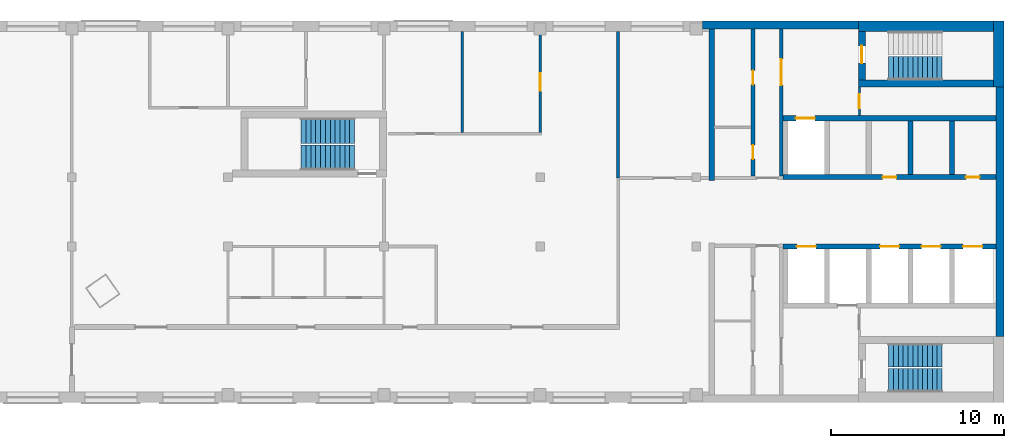
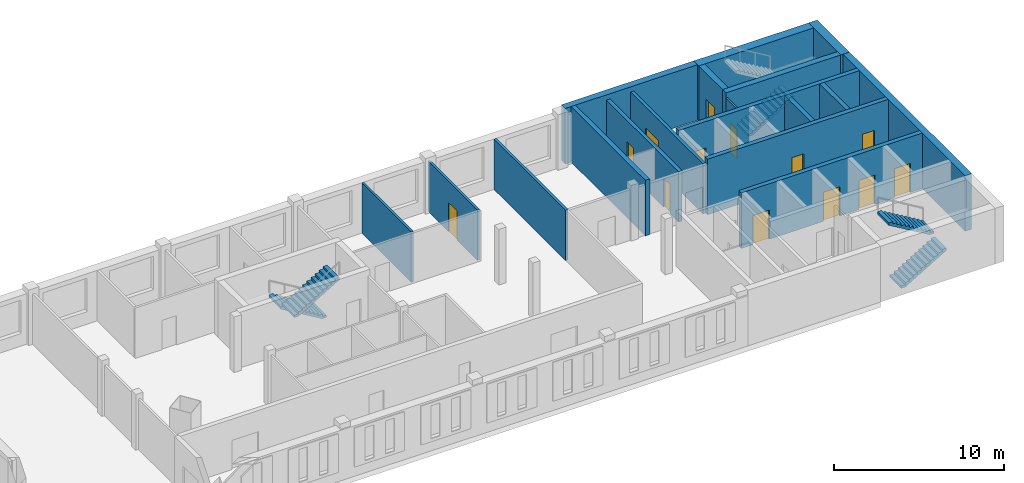
# One storey, part 4 of 6: 18 walls, 13 doors, 5 stair flights, 13 openings, 3 elements without a shape of their own.
"""IFC4 building model written with IfcOpenShell, lengths in metres."""

from ifc_helpers import new_model, si_unit, direction, frame, frame_2d, origin, place, context, subcontext, project, spatial, polyline, rectangle, outline, extrude, material, layer, layer_set, type_object, element, fill, aggregate, save


model = new_model("IFC4")

# Units and contexts
model_context = context("Model", 3, precision=1e-05, world=origin(), true_north=direction((0.0, 1.0)))
body_context = subcontext(model_context, "Body", "Model", "MODEL_VIEW")
ifc_project = project(units=[si_unit("LENGTHUNIT", "METRE"), si_unit("AREAUNIT", "SQUARE_METRE"), si_unit("VOLUMEUNIT", "CUBIC_METRE"), si_unit("PLANEANGLEUNIT", "RADIAN"), si_unit("MASSUNIT", "GRAM", prefix="KILO")], contexts=[model_context])

# Site, building, storey
site_placement = place(None, origin())
site = spatial("IfcSite", under=ifc_project, at=site_placement, CompositionType="ELEMENT")
building_placement = place(site_placement, origin())
building = spatial("IfcBuilding", under=site, at=building_placement, Name="Skarvind Civic Tower", CompositionType="ELEMENT")
storey_placement = place(building_placement, frame((0.0, 0.0, 269.5)))
storey = spatial("IfcBuildingStorey", under=building, at=storey_placement, Name="L64", CompositionType="ELEMENT", Elevation=269.5)

# Wall
ifc_material_1 = material(Name="Acoustic gypsum board on steel studs", Category="steel")
ifc_layer_1 = layer(ifc_material_1, 0.175048828125)
ifc_layer_set_1 = layer_set([ifc_layer_1], Name="ACOUSTIC MEETING-ROOM PARTITION 175")
wall_type_1 = type_object("IfcWallType", Name="ACOUSTIC MEETING-ROOM PARTITION 175", PredefinedType="PARTITIONING", material=ifc_layer_set_1)
wall_1_placement = place(storey_placement, frame((85.75, 129.949951171875, 0.0), z_axis=(0.0, 0.0, 1.0), x_axis=(0.0, 1.0, 0.0)))
element("IfcWall", 1, at=wall_1_placement, inside=storey, type_object=wall_type_1, Name="Partition 64.022", PredefinedType="PARTITIONING", context=body_context, shape_type="SweptSolid", body=[
    extrude(rectangle(XDim=8.449951171875, YDim=0.175048828125, at=frame_2d((4.22509765625, 0.0))), origin(), (0.0, 0.0, 1.0), 3.625),
])

# Wall, opening, door
ifc_material_2 = material(Name="Fire-rated masonry partition", Category="masonry")
ifc_layer_2 = layer(ifc_material_2, 0.199951171875)
ifc_layer_set_2 = layer_set([ifc_layer_2], Name="Core enclosure wall 200")
wall_type_2 = type_object("IfcWallType", Name="Core enclosure wall 200", PredefinedType="PARTITIONING", material=ifc_layer_set_2)
wall_2_placement = place(storey_placement, frame((95.14990234375, 130.050048828125, 0.0), z_axis=(0.0, 0.0, 1.0), x_axis=(0.0, 1.0, 0.0)))
wall_2 = element("IfcWall", 2, at=wall_2_placement, inside=storey, type_object=wall_type_2, Name="Core wall C1", PredefinedType="PARTITIONING", context=body_context, shape_type="SweptSolid", body=[
    extrude(rectangle(XDim=8.5, YDim=0.199951171875, at=frame_2d((4.25, 0.0))), origin(), (0.0, 0.0, 1.0), 3.625),
])
opening_1_placement = place(wall_2_placement, frame((5.25, 0.0, 0.0)))
opening_1 = element("IfcOpeningElement", 3, at=opening_1_placement, cuts=wall_2, Name="Opening D-L64-C1-14", PredefinedType="OPENING", context=body_context, shape_type="SweptSolid", body=[
    extrude(rectangle(XDim=1.5, YDim=2.10009765625, at=frame_2d((0.75, 1.050048828125))), frame((0.0, 0.10986328125, 0.0), z_axis=(0.0, -1.0, 0.0), x_axis=(1.0, 0.0, 0.0)), (0.0, 0.0, 1.0), 0.219970703125),
])
ifc_material_3 = material(Name="Fire-rated steel door", Category="steel")
door_type_1 = type_object("IfcDoorType", Name="Fire door 1500", OperationType="NOTDEFINED", PredefinedType="DOOR", material=ifc_material_3)
door_1_placement = place(opening_1_placement, origin())
door_1 = element("IfcDoor", 4, at=door_1_placement, inside=storey, type_object=door_type_1, Name="Fire door", OperationType="DOUBLE_DOOR_SINGLE_SWING", OverallHeight=2.10009765625, OverallWidth=1.5, PredefinedType="DOOR", context=body_context, shape_type="SweptSolid", body=[
    extrude(rectangle(XDim=1.5, YDim=2.10009765625, at=frame_2d((0.75, 1.050048828125))), frame((0.0, 0.02490234375, 0.0), z_axis=(0.0, -1.0, 0.0), x_axis=(1.0, 0.0, 0.0)), (0.0, 0.0, 1.0), 0.050048828125),
])
fill(opening_1, door_1)

# Wall, openings, doors
ifc_material_4 = material(Name="Concrete C60", Category="concrete")
ifc_layer_3 = layer(ifc_material_4, 0.300048828125)
ifc_layer_set_3 = layer_set([ifc_layer_3], Name="Core wall 300 C60")
wall_type_3 = type_object("IfcWallType", Name="Core wall 300 C60", PredefinedType="SHEAR", material=ifc_layer_set_3)
wall_3_placement = place(storey_placement, frame((107.550048828125, 130.0, 0.0), z_axis=(0.0, 0.0, 1.0), x_axis=(-1.0, 0.0, 0.0)))
wall_3 = element("IfcWall", 5, at=wall_3_placement, inside=storey, type_object=wall_type_3, Name="Core wall C1 south lift row front L64", PredefinedType="SHEAR", context=body_context, shape_type="SweptSolid", body=[
    extrude(rectangle(XDim=12.300048828125, YDim=0.300048828125, at=frame_2d((6.14990234375, 0.0))), origin(), (0.0, 0.0, 1.0), 4.0),
])
opening_2_placement = place(wall_3_placement, frame((0.949951171875, 0.0, 0.0)))
opening_2 = element("IfcOpeningElement", 6, at=opening_2_placement, cuts=wall_3, Name="Opening D-L64-C1-05", PredefinedType="OPENING", context=body_context, shape_type="SweptSolid", body=[
    extrude(rectangle(XDim=0.800048828125, YDim=2.10009765625, at=frame_2d((0.39990234375, 1.050048828125))), frame((0.0, 0.159912109375, 0.0), z_axis=(0.0, -1.0, 0.0), x_axis=(1.0, 0.0, 0.0)), (0.0, 0.0, 1.0), 0.320068359375),
])
opening_3_placement = place(wall_3_placement, frame((5.75, 0.0, 0.0)))
opening_3 = element("IfcOpeningElement", 7, at=opening_3_placement, cuts=wall_3, Name="Opening D-L64-C1-06", PredefinedType="OPENING", context=body_context, shape_type="SweptSolid", body=[
    extrude(rectangle(XDim=0.800048828125, YDim=2.10009765625, at=frame_2d((0.39990234375, 1.050048828125))), frame((0.0, 0.159912109375, 0.0), z_axis=(0.0, -1.0, 0.0), x_axis=(1.0, 0.0, 0.0)), (0.0, 0.0, 1.0), 0.320068359375),
])
door_type_2 = type_object("IfcDoorType", Name="Core riser door 800", OperationType="NOTDEFINED", PredefinedType="DOOR", material=ifc_material_3)
door_2_placement = place(opening_2_placement, origin())
door_2 = element("IfcDoor", 8, at=door_2_placement, inside=storey, type_object=door_type_2, Name="Riser door", OperationType="SINGLE_SWING_LEFT", OverallHeight=2.10009765625, OverallWidth=0.800048828125, PredefinedType="DOOR", context=body_context, shape_type="SweptSolid", body=[
    extrude(rectangle(XDim=0.800048828125, YDim=2.10009765625, at=frame_2d((0.39990234375, 1.050048828125))), frame((0.0, 0.02490234375, 0.0), z_axis=(0.0, -1.0, 0.0), x_axis=(1.0, 0.0, 0.0)), (0.0, 0.0, 1.0), 0.050048828125),
])
fill(opening_2, door_2)
door_3_placement = place(opening_3_placement, origin())
door_3 = element("IfcDoor", 9, at=door_3_placement, inside=storey, type_object=door_type_2, Name="Riser door", OperationType="SINGLE_SWING_RIGHT", OverallHeight=2.10009765625, OverallWidth=0.800048828125, PredefinedType="DOOR", context=body_context, shape_type="SweptSolid", body=[
    extrude(rectangle(XDim=0.800048828125, YDim=2.10009765625, at=frame_2d((0.39990234375, 1.050048828125))), frame((0.0, 0.02490234375, 0.0), z_axis=(0.0, -1.0, 0.0), x_axis=(1.0, 0.0, 0.0)), (0.0, 0.0, 1.0), 0.050048828125),
])
fill(opening_3, door_3)

# Wall, opening, door
wall_4_placement = place(storey_placement, frame((107.550048828125, 133.39990234375, 0.0), z_axis=(0.0, 0.0, 1.0), x_axis=(-1.0, 0.0, 0.0)))
wall_4 = element("IfcWall", 10, at=wall_4_placement, inside=storey, type_object=wall_type_3, Name="Core wall C1 south lift row back L64", PredefinedType="SHEAR", context=body_context, shape_type="SweptSolid", body=[
    extrude(rectangle(XDim=12.300048828125, YDim=0.300048828125, at=frame_2d((6.14990234375, 0.0))), origin(), (0.0, 0.0, 1.0), 4.0),
])
opening_4_placement = place(wall_4_placement, frame((10.449951171875, 0.0, 0.0)))
opening_4 = element("IfcOpeningElement", 11, at=opening_4_placement, cuts=wall_4, Name="Opening LD66110", PredefinedType="OPENING", context=body_context, shape_type="SweptSolid", body=[
    extrude(rectangle(XDim=1.10009765625, YDim=2.10009765625, at=frame_2d((0.550048828125, 1.050048828125))), frame((0.0, 0.159912109375, 0.0), z_axis=(0.0, -1.0, 0.0), x_axis=(1.0, 0.0, 0.0)), (0.0, 0.0, 1.0), 0.320068359375),
])
ifc_material_5 = material(Name="Stainless steel landing door", Category="steel")
door_type_3 = type_object("IfcDoorType", Name="Lift landing door 1100", OperationType="DOUBLE_DOOR_SLIDING", PredefinedType="DOOR", material=ifc_material_5)
door_4_placement = place(opening_4_placement, origin())
door_4 = element("IfcDoor", 12, at=door_4_placement, inside=storey, type_object=door_type_3, Name="Lift landing door", OperationType="DOUBLE_DOOR_SLIDING", OverallHeight=2.10009765625, OverallWidth=1.10009765625, PredefinedType="DOOR", context=body_context, shape_type="SweptSolid", body=[
    extrude(rectangle(XDim=1.10009765625, YDim=2.10009765625, at=frame_2d((0.550048828125, 1.050048828125))), frame((0.0, 0.02490234375, 0.0), z_axis=(0.0, -1.0, 0.0), x_axis=(1.0, 0.0, 0.0)), (0.0, 0.0, 1.0), 0.050048828125),
])
fill(opening_4, door_4)

# Walls
for number, where, z_axis, x_axis, name in (
    (13, (105.0, 133.25, 0.0), (0.0, 0.0, 1.0), (0.0, -1.0, 0.0), "Core wall C1 south lift row division 1 L64"),
    (14, (102.60009765625, 133.25, 0.0), (0.0, 0.0, 1.0), (0.0, -1.0, 0.0), "Core wall C1 south lift row division 2 L64"),
):
    element("IfcWall", number, at=place(storey_placement, frame(where, z_axis=z_axis, x_axis=x_axis)), inside=storey, type_object=wall_type_3, Name=name, PredefinedType="SHEAR", context=body_context, shape_type="SweptSolid", body=[
        extrude(rectangle(XDim=3.10009765625, YDim=0.300048828125, at=frame_2d((1.550048828125, 0.0))), origin(), (0.0, 0.0, 1.0), 4.0),
    ])

# Wall, openings, doors
wall_5_placement = place(storey_placement, frame((107.550048828125, 126.0, 0.0), z_axis=(0.0, 0.0, 1.0), x_axis=(-1.0, 0.0, 0.0)))
wall_5 = element("IfcWall", 15, at=wall_5_placement, inside=storey, type_object=wall_type_3, Name="Core wall C1 north lift row front L64", PredefinedType="SHEAR", context=body_context, shape_type="SweptSolid", body=[
    extrude(rectangle(XDim=12.300048828125, YDim=0.300048828125, at=frame_2d((6.14990234375, 0.0))), origin(), (0.0, 0.0, 1.0), 4.0),
])
opening_5_placement = place(wall_5_placement, frame((0.800048828125, 0.0, 0.0)))
opening_5 = element("IfcOpeningElement", 16, at=opening_5_placement, cuts=wall_5, Name="Opening LD66101", PredefinedType="OPENING", context=body_context, shape_type="SweptSolid", body=[
    extrude(rectangle(XDim=1.10009765625, YDim=2.10009765625, at=frame_2d((0.550048828125, 1.050048828125))), frame((0.0, 0.159912109375, 0.0), z_axis=(0.0, -1.0, 0.0), x_axis=(1.0, 0.0, 0.0)), (0.0, 0.0, 1.0), 0.320068359375),
])
opening_6_placement = place(wall_5_placement, frame((3.199951171875, 0.0, 0.0)))
opening_6 = element("IfcOpeningElement", 17, at=opening_6_placement, cuts=wall_5, Name="Opening LD66102", PredefinedType="OPENING", context=body_context, shape_type="SweptSolid", body=[
    extrude(rectangle(XDim=1.10009765625, YDim=2.10009765625, at=frame_2d((0.550048828125, 1.050048828125))), frame((0.0, 0.159912109375, 0.0), z_axis=(0.0, -1.0, 0.0), x_axis=(1.0, 0.0, 0.0)), (0.0, 0.0, 1.0), 0.320068359375),
])
opening_7_placement = place(wall_5_placement, frame((5.60009765625, 0.0, 0.0)))
opening_7 = element("IfcOpeningElement", 18, at=opening_7_placement, cuts=wall_5, Name="Opening LD66103", PredefinedType="OPENING", context=body_context, shape_type="SweptSolid", body=[
    extrude(rectangle(XDim=1.10009765625, YDim=2.10009765625, at=frame_2d((0.550048828125, 1.050048828125))), frame((0.0, 0.159912109375, 0.0), z_axis=(0.0, -1.0, 0.0), x_axis=(1.0, 0.0, 0.0)), (0.0, 0.0, 1.0), 0.320068359375),
])
opening_8_placement = place(wall_5_placement, frame((10.39990234375, 0.0, 0.0)))
opening_8 = element("IfcOpeningElement", 19, at=opening_8_placement, cuts=wall_5, Name="Opening LD66105", PredefinedType="OPENING", context=body_context, shape_type="SweptSolid", body=[
    extrude(rectangle(XDim=1.10009765625, YDim=2.10009765625, at=frame_2d((0.550048828125, 1.050048828125))), frame((0.0, 0.159912109375, 0.0), z_axis=(0.0, -1.0, 0.0), x_axis=(1.0, 0.0, 0.0)), (0.0, 0.0, 1.0), 0.320068359375),
])
door_5_placement = place(opening_5_placement, origin())
door_5 = element("IfcDoor", 20, at=door_5_placement, inside=storey, type_object=door_type_3, Name="Lift landing door", OperationType="DOUBLE_DOOR_SLIDING", OverallHeight=2.10009765625, OverallWidth=1.10009765625, PredefinedType="DOOR", context=body_context, shape_type="SweptSolid", body=[
    extrude(rectangle(XDim=1.10009765625, YDim=2.10009765625, at=frame_2d((0.550048828125, 1.050048828125))), frame((0.0, 0.02490234375, 0.0), z_axis=(0.0, -1.0, 0.0), x_axis=(1.0, 0.0, 0.0)), (0.0, 0.0, 1.0), 0.050048828125),
])
fill(opening_5, door_5)
door_6_placement = place(opening_6_placement, origin())
door_6 = element("IfcDoor", 21, at=door_6_placement, inside=storey, type_object=door_type_3, Name="Lift landing door", OperationType="DOUBLE_DOOR_SLIDING", OverallHeight=2.10009765625, OverallWidth=1.10009765625, PredefinedType="DOOR", context=body_context, shape_type="SweptSolid", body=[
    extrude(rectangle(XDim=1.10009765625, YDim=2.10009765625, at=frame_2d((0.550048828125, 1.050048828125))), frame((0.0, 0.02490234375, 0.0), z_axis=(0.0, -1.0, 0.0), x_axis=(1.0, 0.0, 0.0)), (0.0, 0.0, 1.0), 0.050048828125),
])
fill(opening_6, door_6)
door_7_placement = place(opening_7_placement, origin())
door_7 = element("IfcDoor", 22, at=door_7_placement, inside=storey, type_object=door_type_3, Name="Lift landing door", OperationType="DOUBLE_DOOR_SLIDING", OverallHeight=2.10009765625, OverallWidth=1.10009765625, PredefinedType="DOOR", context=body_context, shape_type="SweptSolid", body=[
    extrude(rectangle(XDim=1.10009765625, YDim=2.10009765625, at=frame_2d((0.550048828125, 1.050048828125))), frame((0.0, 0.02490234375, 0.0), z_axis=(0.0, -1.0, 0.0), x_axis=(1.0, 0.0, 0.0)), (0.0, 0.0, 1.0), 0.050048828125),
])
fill(opening_7, door_7)
door_8_placement = place(opening_8_placement, origin())
door_8 = element("IfcDoor", 23, at=door_8_placement, inside=storey, type_object=door_type_3, Name="Lift landing door", OperationType="DOUBLE_DOOR_SLIDING", OverallHeight=2.10009765625, OverallWidth=1.10009765625, PredefinedType="DOOR", context=body_context, shape_type="SweptSolid", body=[
    extrude(rectangle(XDim=1.10009765625, YDim=2.10009765625, at=frame_2d((0.550048828125, 1.050048828125))), frame((0.0, 0.02490234375, 0.0), z_axis=(0.0, -1.0, 0.0), x_axis=(1.0, 0.0, 0.0)), (0.0, 0.0, 1.0), 0.050048828125),
])
fill(opening_8, door_8)

# Walls
wall_6_placement = place(storey_placement, frame((91.14990234375, 138.550048828125, 0.0), z_axis=(0.0, 0.0, 1.0), x_axis=(0.0, -1.0, 0.0)))
element("IfcWall", 24, at=wall_6_placement, inside=storey, type_object=wall_type_3, Name="Core wall C1 south inner face L64", PredefinedType="SHEAR", context=body_context, shape_type="SweptSolid", body=[
    extrude(rectangle(XDim=8.75, YDim=0.300048828125, at=frame_2d((4.375, 0.0))), origin(), (0.0, 0.0, 1.0), 4.0),
])
ifc_layer_4 = layer(ifc_material_4, 0.39990234375)
ifc_layer_set_4 = layer_set([ifc_layer_4], Name="Core wall 400 C60")
wall_type_4 = type_object("IfcWallType", Name="Core wall 400 C60", PredefinedType="SHEAR", material=ifc_layer_set_4)
wall_7_placement = place(storey_placement, frame((107.39990234375, 135.39990234375, 0.0), z_axis=(0.0, 0.0, 1.0), x_axis=(-1.0, 0.0, 0.0)))
element("IfcWall", 25, at=wall_7_placement, inside=storey, type_object=wall_type_4, Name="Core wall C1 south stair inner L64", PredefinedType="SHEAR", context=body_context, shape_type="SweptSolid", body=[
    extrude(rectangle(XDim=7.7998046875, YDim=0.39990234375, at=frame_2d((3.89990234375, 0.0))), origin(), (0.0, 0.0, 1.0), 4.0),
])

# Wall, opening, door
wall_8_placement = place(storey_placement, frame((99.800048828125, 138.39990234375, 0.0), z_axis=(0.0, 0.0, 1.0), x_axis=(0.0, -1.0, 0.0)))
wall_8 = element("IfcWall", 26, at=wall_8_placement, inside=storey, type_object=wall_type_4, Name="Core wall C1 south stair end L64", PredefinedType="SHEAR", context=body_context, shape_type="SweptSolid", body=[
    extrude(rectangle(XDim=2.7998046875, YDim=0.39990234375, at=frame_2d((1.39990234375, 0.0))), origin(), (0.0, 0.0, 1.0), 4.0),
])
opening_9_placement = place(wall_8_placement, frame((0.824951171875, 0.0, 0.0)))
opening_9 = element("IfcOpeningElement", 27, at=opening_9_placement, cuts=wall_8, Name="Opening D-L64-C1-15", PredefinedType="OPENING", context=body_context, shape_type="SweptSolid", body=[
    extrude(rectangle(XDim=1.0, YDim=2.10009765625, at=frame_2d((0.5, 1.050048828125))), frame((0.0, 0.2099609375, 0.0), z_axis=(0.0, -1.0, 0.0), x_axis=(1.0, 0.0, 0.0)), (0.0, 0.0, 1.0), 0.419921875),
])
door_type_4 = type_object("IfcDoorType", Name="Fire door 1000", OperationType="NOTDEFINED", PredefinedType="DOOR", material=ifc_material_3)
door_9_placement = place(opening_9_placement, origin())
door_9 = element("IfcDoor", 28, at=door_9_placement, inside=storey, type_object=door_type_4, Name="Fire door", OperationType="SINGLE_SWING_RIGHT", OverallHeight=2.10009765625, OverallWidth=1.0, PredefinedType="DOOR", context=body_context, shape_type="SweptSolid", body=[
    extrude(rectangle(XDim=1.0, YDim=2.10009765625, at=frame_2d((0.5, 1.050048828125))), frame((0.0, 0.02490234375, 0.0), z_axis=(0.0, -1.0, 0.0), x_axis=(1.0, 0.0, 0.0)), (0.0, 0.0, 1.0), 0.050048828125),
])
fill(opening_9, door_9)

# Walls
ifc_layer_5 = layer(ifc_material_4, 0.449951171875)
ifc_layer_set_5 = layer_set([ifc_layer_5], Name="Core wall 450 C60")
wall_type_5 = type_object("IfcWallType", Name="Core wall 450 C60", PredefinedType="SHEAR", material=ifc_layer_set_5)
wall_9_placement = place(storey_placement, frame((107.77490234375, 135.199951171875, 0.0), z_axis=(0.0, 0.0, 1.0), x_axis=(0.0, -1.0, 0.0)))
element("IfcWall", 29, at=wall_9_placement, inside=storey, type_object=wall_type_5, Name="Core wall C1 tip between the stairs L64", PredefinedType="SHEAR", context=body_context, shape_type="SweptSolid", body=[
    extrude(rectangle(XDim=14.39990234375, YDim=0.449951171875, at=frame_2d((7.199951171875, 0.0))), origin(), (0.0, 0.0, 1.0), 4.0),
])
wall_10_placement = place(storey_placement, frame((99.60009765625, 138.77490234375, 0.0), z_axis=(0.0, 0.0, 1.0), x_axis=(-1.0, 0.0, 0.0)))
element("IfcWall", 30, at=wall_10_placement, inside=storey, type_object=wall_type_5, Name="Core wall C1 south side L64", PredefinedType="SHEAR", context=body_context, shape_type="SweptSolid", body=[
    extrude(rectangle(XDim=9.0, YDim=0.449951171875, at=frame_2d((4.5, 0.0))), origin(), (0.0, 0.0, 1.0), 4.0),
])
ifc_layer_6 = layer(ifc_material_4, 0.60009765625)
ifc_layer_set_6 = layer_set([ifc_layer_6], Name="Core wall 600 C60")
wall_type_6 = type_object("IfcWallType", Name="Core wall 600 C60", PredefinedType="SHEAR", material=ifc_layer_set_6)
wall_11_placement = place(storey_placement, frame((107.699951171875, 139.0, 0.0), z_axis=(0.0, 0.0, 1.0), x_axis=(0.0, -1.0, 0.0)))
element("IfcWall", 31, at=wall_11_placement, inside=storey, type_object=wall_type_6, Name="Core wall C1 tip at the south stair L64", PredefinedType="SHEAR", context=body_context, shape_type="SweptSolid", body=[
    extrude(rectangle(XDim=3.800048828125, YDim=0.60009765625, at=frame_2d((1.89990234375, 0.0))), origin(), (0.0, 0.0, 1.0), 4.0),
])
wall_12_placement = place(storey_placement, frame((107.39990234375, 138.699951171875, 0.0), z_axis=(0.0, 0.0, 1.0), x_axis=(-1.0, 0.0, 0.0)))
element("IfcWall", 32, at=wall_12_placement, inside=storey, type_object=wall_type_6, Name="Core wall C1 south side at the stair L64", PredefinedType="SHEAR", context=body_context, shape_type="SweptSolid", body=[
    extrude(rectangle(XDim=7.7998046875, YDim=0.60009765625, at=frame_2d((3.89990234375, 0.0))), origin(), (0.0, 0.0, 1.0), 4.0),
])
ifc_material_6 = material(Name="Plasterboard partition on steel studs", Category="steel")
ifc_layer_7 = layer(ifc_material_6, 0.14990234375)
ifc_layer_set_7 = layer_set([ifc_layer_7], Name="PARTITION 150")
wall_type_7 = type_object("IfcWallType", Name="PARTITION 150", PredefinedType="PARTITIONING", material=ifc_layer_set_7)
wall_13_placement = place(storey_placement, frame((76.75, 132.574951171875, 0.0), z_axis=(0.0, 0.0, 1.0), x_axis=(0.0, 1.0, 0.0)))
element("IfcWall", 33, at=wall_13_placement, inside=storey, type_object=wall_type_7, Name="Partition 64.019", PredefinedType="PARTITIONING", context=body_context, shape_type="SweptSolid", body=[
    extrude(rectangle(XDim=5.824951171875, YDim=0.14990234375, at=frame_2d((2.91259765625, 0.0))), origin(), (0.0, 0.0, 1.0), 3.625),
])

# Wall, opening, door
wall_14_placement = place(storey_placement, frame((81.25, 138.39990234375, 0.0), z_axis=(0.0, 0.0, 1.0), x_axis=(0.0, -1.0, 0.0)))
wall_14 = element("IfcWall", 34, at=wall_14_placement, inside=storey, type_object=wall_type_7, Name="Partition 64.020", PredefinedType="PARTITIONING", context=body_context, shape_type="SweptSolid", body=[
    extrude(rectangle(XDim=5.824951171875, YDim=0.14990234375, at=frame_2d((2.91259765625, 0.0))), origin(), (0.0, 0.0, 1.0), 3.625),
])
opening_10_placement = place(wall_14_placement, frame((2.422607421875, 0.0, 0.0)))
opening_10 = element("IfcOpeningElement", 35, at=opening_10_placement, cuts=wall_14, Name="Opening L64-D003", PredefinedType="OPENING", context=body_context, shape_type="SweptSolid", body=[
    extrude(rectangle(XDim=1.0, YDim=2.10009765625, at=frame_2d((0.5, 1.050048828125))), frame((0.0, 0.0849609375, 0.0), z_axis=(0.0, -1.0, 0.0), x_axis=(1.0, 0.0, 0.0)), (0.0, 0.0, 1.0), 0.169921875),
])
ifc_material_7 = material(Name="Timber door leaf", Category="wood")
door_type_5 = type_object("IfcDoorType", Name="D1 1000x2100", OperationType="NOTDEFINED", PredefinedType="DOOR", material=ifc_material_7)
door_10_placement = place(opening_10_placement, origin())
door_10 = element("IfcDoor", 36, at=door_10_placement, inside=storey, type_object=door_type_5, Name="Door L64-D003", OperationType="SINGLE_SWING_LEFT", OverallHeight=2.10009765625, OverallWidth=1.0, PredefinedType="DOOR", context=body_context, shape_type="SweptSolid", body=[
    extrude(rectangle(XDim=1.0, YDim=2.10009765625, at=frame_2d((0.5, 1.050048828125))), frame((0.0, 0.02490234375, 0.0), z_axis=(0.0, -1.0, 0.0), x_axis=(1.0, 0.0, 0.0)), (0.0, 0.0, 1.0), 0.050048828125),
])
fill(opening_10, door_10)

ifc_layer_8 = layer(ifc_material_2, 0.125)
ifc_layer_set_8 = layer_set([ifc_layer_8], Name="Riser wall 125")
wall_type_8 = type_object("IfcWallType", Name="Riser wall 125", PredefinedType="PARTITIONING", material=ifc_layer_set_8)
wall_15_placement = place(storey_placement, frame((99.66259765625, 133.550048828125, 0.0), z_axis=(0.0, 0.0, 1.0), x_axis=(0.0, 1.0, 0.0)))
wall_15 = element("IfcWall", 37, at=wall_15_placement, inside=storey, type_object=wall_type_8, Name="Core wall C1", PredefinedType="PARTITIONING", context=body_context, shape_type="SweptSolid", body=[
    extrude(rectangle(XDim=1.64990234375, YDim=0.125, at=frame_2d((0.824951171875, 0.0))), origin(), (0.0, 0.0, 1.0), 3.625),
])
opening_11_placement = place(wall_15_placement, frame((0.425048828125, 0.0, 0.0)))
opening_11 = element("IfcOpeningElement", 38, at=opening_11_placement, cuts=wall_15, Name="Opening D-L64-C1-16", PredefinedType="OPENING", context=body_context, shape_type="SweptSolid", body=[
    extrude(rectangle(XDim=0.800048828125, YDim=2.10009765625, at=frame_2d((0.39990234375, 1.050048828125))), frame((0.0, 0.072509765625, 0.0), z_axis=(0.0, -1.0, 0.0), x_axis=(1.0, 0.0, 0.0)), (0.0, 0.0, 1.0), 0.14501953125),
])
door_11_placement = place(opening_11_placement, origin())
door_11 = element("IfcDoor", 39, at=door_11_placement, inside=storey, type_object=door_type_2, Name="Riser door", OperationType="SINGLE_SWING_LEFT", OverallHeight=2.10009765625, OverallWidth=0.800048828125, PredefinedType="DOOR", context=body_context, shape_type="SweptSolid", body=[
    extrude(rectangle(XDim=0.800048828125, YDim=2.10009765625, at=frame_2d((0.39990234375, 1.050048828125))), frame((0.0, 0.02490234375, 0.0), z_axis=(0.0, -1.0, 0.0), x_axis=(1.0, 0.0, 0.0)), (0.0, 0.0, 1.0), 0.050048828125),
])
fill(opening_11, door_11)

# Wall, openings, doors
ifc_layer_9 = layer(ifc_material_2, 0.25)
ifc_layer_set_9 = layer_set([ifc_layer_9], Name="Service block wall 250")
wall_type_9 = type_object("IfcWallType", Name="Service block wall 250", PredefinedType="PARTITIONING", material=ifc_layer_set_9)
wall_16_placement = place(storey_placement, frame((93.52490234375, 130.050048828125, 0.0), z_axis=(0.0, 0.0, 1.0), x_axis=(0.0, 1.0, 0.0)))
wall_16 = element("IfcWall", 40, at=wall_16_placement, inside=storey, type_object=wall_type_9, Name="Core wall C1", PredefinedType="PARTITIONING", context=body_context, shape_type="SweptSolid", body=[
    extrude(rectangle(XDim=8.5, YDim=0.25, at=frame_2d((4.25, 0.0))), origin(), (0.0, 0.0, 1.0), 3.625),
])
opening_12_placement = place(wall_16_placement, frame((0.989990234375, 0.0, 0.0)))
opening_12 = element("IfcOpeningElement", 41, at=opening_12_placement, cuts=wall_16, Name="Opening D-L64-C1-17", PredefinedType="OPENING", context=body_context, shape_type="SweptSolid", body=[
    extrude(rectangle(XDim=0.800048828125, YDim=2.10009765625, at=frame_2d((0.39990234375, 1.050048828125))), frame((0.0, 0.135009765625, 0.0), z_axis=(0.0, -1.0, 0.0), x_axis=(1.0, 0.0, 0.0)), (0.0, 0.0, 1.0), 0.27001953125),
])
opening_13_placement = place(wall_16_placement, frame((5.2900390625, 0.0, 0.0)))
opening_13 = element("IfcOpeningElement", 42, at=opening_13_placement, cuts=wall_16, Name="Opening D-L64-C1-18", PredefinedType="OPENING", context=body_context, shape_type="SweptSolid", body=[
    extrude(rectangle(XDim=0.800048828125, YDim=2.10009765625, at=frame_2d((0.39990234375, 1.050048828125))), frame((0.0, 0.135009765625, 0.0), z_axis=(0.0, -1.0, 0.0), x_axis=(1.0, 0.0, 0.0)), (0.0, 0.0, 1.0), 0.27001953125),
])
door_12_placement = place(opening_12_placement, origin())
door_12 = element("IfcDoor", 43, at=door_12_placement, inside=storey, type_object=door_type_2, Name="Riser door", OperationType="SINGLE_SWING_RIGHT", OverallHeight=2.10009765625, OverallWidth=0.800048828125, PredefinedType="DOOR", context=body_context, shape_type="SweptSolid", body=[
    extrude(rectangle(XDim=0.800048828125, YDim=2.10009765625, at=frame_2d((0.39990234375, 1.050048828125))), frame((0.0, 0.02490234375, 0.0), z_axis=(0.0, -1.0, 0.0), x_axis=(1.0, 0.0, 0.0)), (0.0, 0.0, 1.0), 0.050048828125),
])
fill(opening_12, door_12)
door_13_placement = place(opening_13_placement, origin())
door_13 = element("IfcDoor", 44, at=door_13_placement, inside=storey, type_object=door_type_2, Name="Riser door", OperationType="SINGLE_SWING_LEFT", OverallHeight=2.10009765625, OverallWidth=0.800048828125, PredefinedType="DOOR", context=body_context, shape_type="SweptSolid", body=[
    extrude(rectangle(XDim=0.800048828125, YDim=2.10009765625, at=frame_2d((0.39990234375, 1.050048828125))), frame((0.0, 0.02490234375, 0.0), z_axis=(0.0, -1.0, 0.0), x_axis=(1.0, 0.0, 0.0)), (0.0, 0.0, 1.0), 0.050048828125),
])
fill(opening_13, door_13)

# Stair, stair flights
ifc_material_8 = material(Name="Concrete C40/50", Category="concrete")
stair_type_1 = type_object("IfcStairType", Name="Exit stair 1450, half-turn, concrete", PredefinedType="HALF_TURN_STAIR", material=ifc_material_8)
stair_1_placement = place(storey_placement, origin())
stair_1 = element("IfcStair", 45, at=stair_1_placement, inside=storey, type_object=stair_type_1, Name="Exit stair CM", PredefinedType="HALF_TURN_STAIR")
stair_flight_type_1 = type_object("IfcStairFlightType", Name="Stair flight 1450, concrete", PredefinedType="STRAIGHT", material=ifc_material_8)
stair_flight_1_placement = place(storey_placement, frame((70.550048828125, 132.675048828125, 0.0), z_axis=(0.0, 0.0, 1.0), x_axis=(-1.0, 0.0, 0.0)))
stair_flight_1 = element("IfcStairFlight", 46, at=stair_flight_1_placement, type_object=stair_flight_type_1, Name="ST-CM flight 1", NumberOfRisers=12, NumberOfTreads=11, PredefinedType="STRAIGHT", RiserHeight=0.166666667, TreadLength=0.28, context=body_context, shape_type="SweptSolid", body=[
    extrude(outline(polyline([(0.0, 0.0), (0.0, 0.166748046875), (0.280029296875, 0.166748046875), (0.280029296875, 0.333251953125), (0.56005859375, 0.333251953125), (0.56005859375, 0.5), (0.840087890625, 0.5), (0.840087890625, 0.666748046875), (1.1201171875, 0.666748046875), (1.1201171875, 0.833251953125), (1.39990234375, 0.833251953125), (1.39990234375, 1.0), (1.679931640625, 1.0), (1.679931640625, 1.166748046875), (1.9599609375, 1.166748046875), (1.9599609375, 1.333251953125), (2.239990234375, 1.333251953125), (2.239990234375, 1.5), (2.52001953125, 1.5), (2.52001953125, 1.666748046875), (2.800048828125, 1.666748046875), (2.800048828125, 1.833251953125), (3.080078125, 1.833251953125), (3.080078125, 2.0), (3.080078125, 1.658935546875), (0.29296875, 0.0), (0.0, 0.0)])), frame((0.0, 0.72509765625, 0.0), z_axis=(0.0, -1.0, 0.0), x_axis=(1.0, 0.0, 0.0)), (0.0, 0.0, 1.0), 1.449951171875),
])
stair_flight_2_placement = place(storey_placement, frame((67.469970703125, 131.125, 2.0), z_axis=(0.0, 0.0, 1.0), x_axis=(1.0, 0.0, 0.0)))
stair_flight_2 = element("IfcStairFlight", 47, at=stair_flight_2_placement, type_object=stair_flight_type_1, Name="ST-CM flight 2", NumberOfRisers=12, NumberOfTreads=11, PredefinedType="STRAIGHT", RiserHeight=0.166666667, TreadLength=0.28, context=body_context, shape_type="SweptSolid", body=[
    extrude(outline(polyline([(0.0, 0.0), (0.0, 0.166748046875), (0.280029296875, 0.166748046875), (0.280029296875, 0.333251953125), (0.56005859375, 0.333251953125), (0.56005859375, 0.5), (0.840087890625, 0.5), (0.840087890625, 0.666748046875), (1.1201171875, 0.666748046875), (1.1201171875, 0.833251953125), (1.39990234375, 0.833251953125), (1.39990234375, 1.0), (1.679931640625, 1.0), (1.679931640625, 1.166748046875), (1.9599609375, 1.166748046875), (1.9599609375, 1.333251953125), (2.239990234375, 1.333251953125), (2.239990234375, 1.5), (2.52001953125, 1.5), (2.52001953125, 1.666748046875), (2.800048828125, 1.666748046875), (2.800048828125, 1.833251953125), (3.080078125, 1.833251953125), (3.080078125, 2.0), (3.080078125, 1.658935546875), (0.29296875, 0.0), (0.0, 0.0)])), frame((0.0, 0.72509765625, 0.0), z_axis=(0.0, -1.0, 0.0), x_axis=(1.0, 0.0, 0.0)), (0.0, 0.0, 1.0), 1.449951171875),
])
aggregate(stair_1, [stair_flight_1, stair_flight_2])

# Stair, stair flight
stair_type_2 = type_object("IfcStairType", Name="Exit stair, half-turn, concrete", PredefinedType="HALF_TURN_STAIR", material=ifc_material_8)
stair_2_placement = place(storey_placement, origin())
stair_2 = element("IfcStair", 48, at=stair_2_placement, inside=storey, type_object=stair_type_2, Name="Exit stair C1S", PredefinedType="HALF_TURN_STAIR")
stair_flight_type_2 = type_object("IfcStairFlightType", Name="Stair flight, concrete", PredefinedType="STRAIGHT", material=ifc_material_8)
stair_flight_3_placement = place(storey_placement, frame((101.35009765625, 136.27490234375, 0.0), z_axis=(0.0, 0.0, 1.0), x_axis=(1.0, 0.0, 0.0)))
stair_flight_3 = element("IfcStairFlight", 49, at=stair_flight_3_placement, type_object=stair_flight_type_2, Name="ST-C1S flight 1", NumberOfRisers=12, NumberOfTreads=11, PredefinedType="STRAIGHT", RiserHeight=0.166666667, TreadLength=0.28, context=body_context, shape_type="SweptSolid", body=[
    extrude(outline(polyline([(0.0, 0.0), (0.0, 0.166748046875), (0.280029296875, 0.166748046875), (0.280029296875, 0.333251953125), (0.56005859375, 0.333251953125), (0.56005859375, 0.5), (0.840087890625, 0.5), (0.840087890625, 0.666748046875), (1.1201171875, 0.666748046875), (1.1201171875, 0.833251953125), (1.39990234375, 0.833251953125), (1.39990234375, 1.0), (1.679931640625, 1.0), (1.679931640625, 1.166748046875), (1.9599609375, 1.166748046875), (1.9599609375, 1.333251953125), (2.239990234375, 1.333251953125), (2.239990234375, 1.5), (2.52001953125, 1.5), (2.52001953125, 1.666748046875), (2.800048828125, 1.666748046875), (2.800048828125, 1.833251953125), (3.080078125, 1.833251953125), (3.080078125, 2.0), (3.080078125, 1.658935546875), (0.29296875, 0.0), (0.0, 0.0)])), frame((0.0, 0.675048828125, 0.0), z_axis=(0.0, -1.0, 0.0), x_axis=(1.0, 0.0, 0.0)), (0.0, 0.0, 1.0), 1.35009765625),
])
aggregate(stair_2, [stair_flight_3])

# Stair, stair flights
stair_3_placement = place(storey_placement, origin())
stair_3 = element("IfcStair", 50, at=stair_3_placement, inside=storey, type_object=stair_type_2, Name="Exit stair C1N", PredefinedType="HALF_TURN_STAIR")
stair_flight_4_placement = place(storey_placement, frame((101.35009765625, 118.27490234375, 0.0), z_axis=(0.0, 0.0, 1.0), x_axis=(1.0, 0.0, 0.0)))
stair_flight_4 = element("IfcStairFlight", 51, at=stair_flight_4_placement, type_object=stair_flight_type_2, Name="ST-C1N flight 1", NumberOfRisers=12, NumberOfTreads=11, PredefinedType="STRAIGHT", RiserHeight=0.166666667, TreadLength=0.28, context=body_context, shape_type="SweptSolid", body=[
    extrude(outline(polyline([(0.0, 0.0), (0.0, 0.166748046875), (0.280029296875, 0.166748046875), (0.280029296875, 0.333251953125), (0.56005859375, 0.333251953125), (0.56005859375, 0.5), (0.840087890625, 0.5), (0.840087890625, 0.666748046875), (1.1201171875, 0.666748046875), (1.1201171875, 0.833251953125), (1.39990234375, 0.833251953125), (1.39990234375, 1.0), (1.679931640625, 1.0), (1.679931640625, 1.166748046875), (1.9599609375, 1.166748046875), (1.9599609375, 1.333251953125), (2.239990234375, 1.333251953125), (2.239990234375, 1.5), (2.52001953125, 1.5), (2.52001953125, 1.666748046875), (2.800048828125, 1.666748046875), (2.800048828125, 1.833251953125), (3.080078125, 1.833251953125), (3.080078125, 2.0), (3.080078125, 1.658935546875), (0.29296875, 0.0), (0.0, 0.0)])), frame((0.0, 0.675048828125, 0.0), z_axis=(0.0, -1.0, 0.0), x_axis=(1.0, 0.0, 0.0)), (0.0, 0.0, 1.0), 1.35009765625),
])
stair_flight_5_placement = place(storey_placement, frame((104.429931640625, 119.72509765625, 2.0), z_axis=(0.0, 0.0, 1.0), x_axis=(-1.0, 0.0, 0.0)))
stair_flight_5 = element("IfcStairFlight", 52, at=stair_flight_5_placement, type_object=stair_flight_type_2, Name="ST-C1N flight 2", NumberOfRisers=12, NumberOfTreads=11, PredefinedType="STRAIGHT", RiserHeight=0.166666667, TreadLength=0.28, context=body_context, shape_type="SweptSolid", body=[
    extrude(outline(polyline([(0.0, 0.0), (0.0, 0.166748046875), (0.280029296875, 0.166748046875), (0.280029296875, 0.333251953125), (0.56005859375, 0.333251953125), (0.56005859375, 0.5), (0.840087890625, 0.5), (0.840087890625, 0.666748046875), (1.1201171875, 0.666748046875), (1.1201171875, 0.833251953125), (1.39990234375, 0.833251953125), (1.39990234375, 1.0), (1.679931640625, 1.0), (1.679931640625, 1.166748046875), (1.9599609375, 1.166748046875), (1.9599609375, 1.333251953125), (2.239990234375, 1.333251953125), (2.239990234375, 1.5), (2.52001953125, 1.5), (2.52001953125, 1.666748046875), (2.800048828125, 1.666748046875), (2.800048828125, 1.833251953125), (3.080078125, 1.833251953125), (3.080078125, 2.0), (3.080078125, 1.658935546875), (0.29296875, 0.0), (0.0, 0.0)])), frame((0.0, 0.675048828125, 0.0), z_axis=(0.0, -1.0, 0.0), x_axis=(1.0, 0.0, 0.0)), (0.0, 0.0, 1.0), 1.35009765625),
])
aggregate(stair_3, [stair_flight_4, stair_flight_5])

save(model, "model.ifc")
